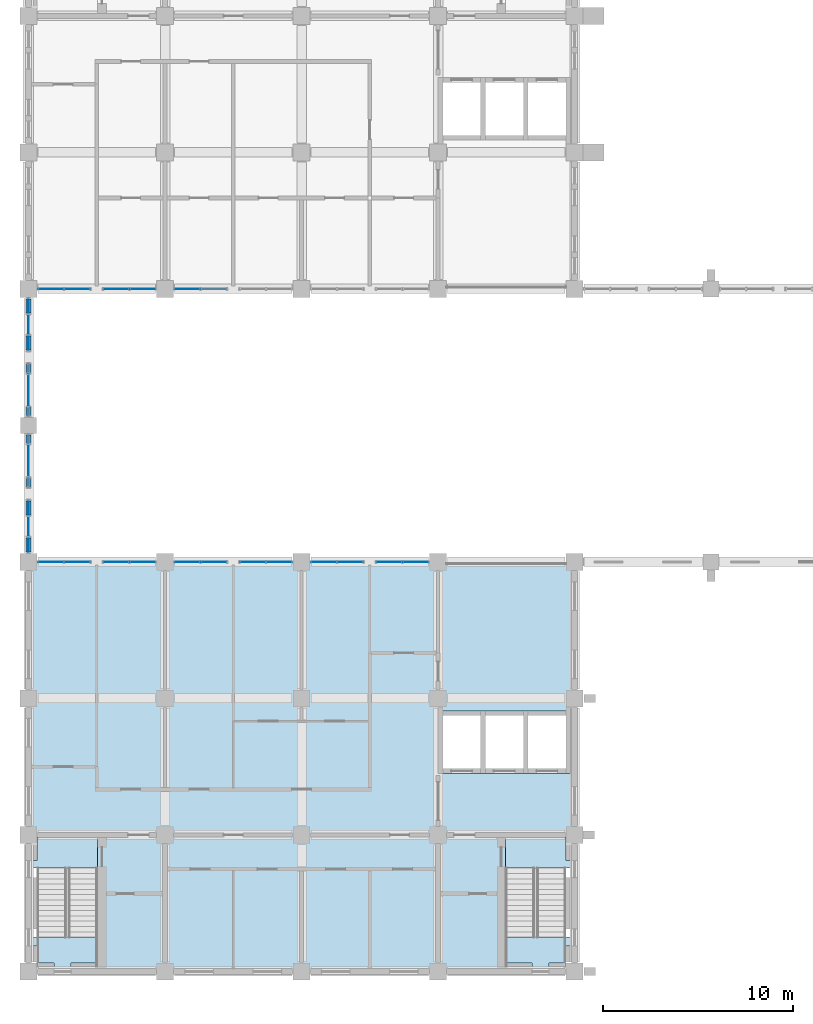
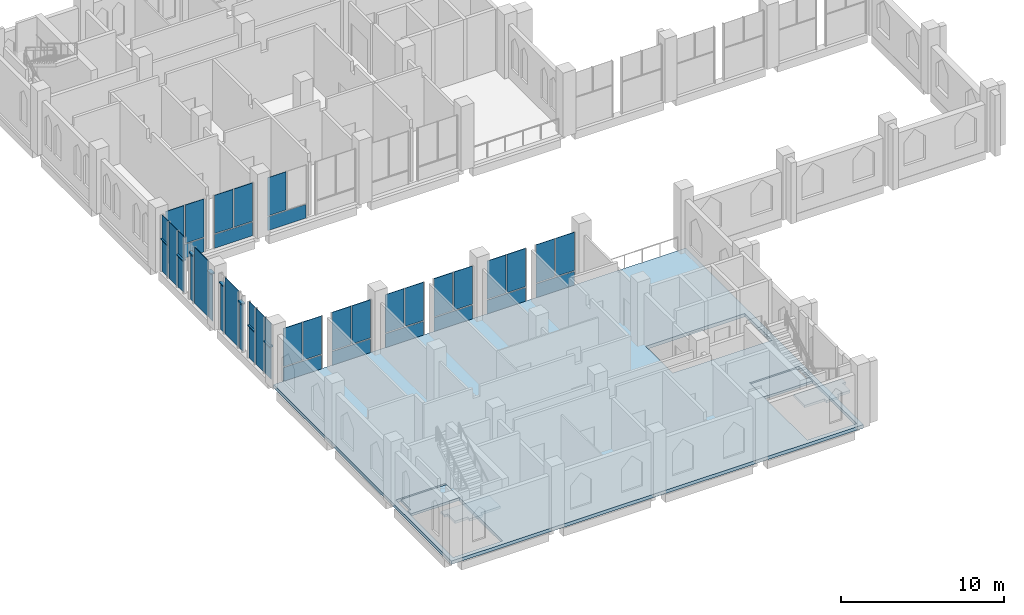
# One storey, part 24 of 40: 42 plates, 8 members, 5 slabs, 15 elements without a shape of their own.
"""IFC4 building model written with IfcOpenShell, lengths in metres."""

from ifc_helpers import new_model, si_unit, direction, frame, origin, origin_2d, place, context, subcontext, project, spatial, polyline, rectangle, hollow_rectangle, outline, extrude, material, layer, layer_set, material_profile, profile_set, type_object, element, aggregate, save


model = new_model("IFC4")

# Units and contexts
model_context = context("Model", 3, precision=1e-05, world=origin(), true_north=direction((0.0, 1.0)))
body_context = subcontext(model_context, "Body", "Model", "MODEL_VIEW")
ifc_project = project(units=[si_unit("LENGTHUNIT", "METRE"), si_unit("AREAUNIT", "SQUARE_METRE"), si_unit("VOLUMEUNIT", "CUBIC_METRE"), si_unit("PLANEANGLEUNIT", "RADIAN"), si_unit("MASSUNIT", "GRAM", prefix="KILO")], contexts=[model_context])

# Site, building, storey
site_placement = place(None, origin())
site = spatial("IfcSite", under=ifc_project, at=site_placement, CompositionType="ELEMENT")
building_placement = place(site_placement, origin())
building = spatial("IfcBuilding", under=site, at=building_placement, Name="Silangan Lancet Faculty of Sciences", CompositionType="ELEMENT")
storey_placement = place(building_placement, frame((0.0, 0.0, 16.800048828125)))
storey = spatial("IfcBuildingStorey", under=building, at=storey_placement, Name="L03", CompositionType="ELEMENT", Elevation=16.800048828125)

# Curtain wall, members
ifc_material_1 = material(Name="Aluminium framed curtain wall with insulated glass", Category="aluminium")
curtain_wall_type_1 = type_object("IfcCurtainWallType", Name="CW3 West stepped lancet window", PredefinedType="NOTDEFINED", material=ifc_material_1)
curtain_wall_1_placement = place(storey_placement, origin())
curtain_wall_1 = element("IfcCurtainWall", 1, at=curtain_wall_1_placement, inside=storey, type_object=curtain_wall_type_1, Name="CW3 West window L03 bay 1", PredefinedType="NOTDEFINED")
ifc_material_2 = material(Name="Aluminium 6063-T6 extrusion", Category="aluminium")
ifc_material_profile = material_profile(ifc_material_2, hollow_rectangle(XDim=0.25, YDim=0.10009765625, WallThickness=0.0048828125, at=origin_2d()), Name="AL BOX 250x100x5")
ifc_profile_set = profile_set([ifc_material_profile], Name="Aluminium 6063-T6 extrusion")
member_type = type_object("IfcMemberType", Name="CT3 Transom 250x100", PredefinedType="USERDEFINED", material=ifc_profile_set)
member_1_placement = place(storey_placement, frame((0.0, 22.125, 2.449951171875), z_axis=(0.0, 1.0, 0.0), x_axis=(-1.0, 0.0, 0.0)))
member_1 = element("IfcMember", 2, at=member_1_placement, type_object=member_type, Name="CW3 West window L03 bay 1 transom 1", ObjectType="TRANSOM", PredefinedType="USERDEFINED", context=body_context, shape_type="SweptSolid", body=[
    extrude(hollow_rectangle(XDim=0.25, YDim=0.10009765625, WallThickness=0.0048828125, at=origin_2d()), origin(), (0.0, 0.0, 1.0), 0.75),
])
member_2_placement = place(storey_placement, frame((0.0, 24.074951171875, 2.449951171875), z_axis=(0.0, 1.0, 0.0), x_axis=(-1.0, 0.0, 0.0)))
member_2 = element("IfcMember", 3, at=member_2_placement, type_object=member_type, Name="CW3 West window L03 bay 1 transom 2", ObjectType="TRANSOM", PredefinedType="USERDEFINED", context=body_context, shape_type="SweptSolid", body=[
    extrude(hollow_rectangle(XDim=0.25, YDim=0.10009765625, WallThickness=0.0048828125, at=origin_2d()), origin(), (0.0, 0.0, 1.0), 0.75),
])

ifc_material_3 = material(Name="Aluminium framed curtain wall with insulated glass", Category="aluminium")
curtain_wall_type_2 = type_object("IfcCurtainWallType", Name="CW6 West window middle bays", PredefinedType="NOTDEFINED", material=ifc_material_3)
curtain_wall_2_placement = place(storey_placement, origin())
curtain_wall_2 = element("IfcCurtainWall", 4, at=curtain_wall_2_placement, inside=storey, type_object=curtain_wall_type_2, Name="CW6 West window L03 bay 2", PredefinedType="NOTDEFINED")
member_3_placement = place(storey_placement, frame((0.0, 25.574951171875, 3.550048828125), z_axis=(0.0, 1.0, 0.0), x_axis=(-1.0, 0.0, 0.0)))
member_3 = element("IfcMember", 5, at=member_3_placement, type_object=member_type, Name="CW6 West window L03 bay 2 transom 1", ObjectType="TRANSOM", PredefinedType="USERDEFINED", context=body_context, shape_type="SweptSolid", body=[
    extrude(hollow_rectangle(XDim=0.25, YDim=0.10009765625, WallThickness=0.0048828125, at=origin_2d()), origin(), (0.0, 0.0, 1.0), 0.449951171875),
])
member_4_placement = place(storey_placement, frame((0.0, 27.85009765625, 3.550048828125), z_axis=(0.0, 1.0, 0.0), x_axis=(-1.0, 0.0, 0.0)))
member_4 = element("IfcMember", 6, at=member_4_placement, type_object=member_type, Name="CW6 West window L03 bay 2 transom 2", ObjectType="TRANSOM", PredefinedType="USERDEFINED", context=body_context, shape_type="SweptSolid", body=[
    extrude(hollow_rectangle(XDim=0.25, YDim=0.10009765625, WallThickness=0.0048828125, at=origin_2d()), origin(), (0.0, 0.0, 1.0), 0.449951171875),
])

curtain_wall_3_placement = place(storey_placement, origin())
curtain_wall_3 = element("IfcCurtainWall", 7, at=curtain_wall_3_placement, inside=storey, type_object=curtain_wall_type_2, Name="CW6 West window L03 bay 3", PredefinedType="NOTDEFINED")
member_5_placement = place(storey_placement, frame((0.0, 29.300048828125, 3.550048828125), z_axis=(0.0, 1.0, 0.0), x_axis=(-1.0, 0.0, 0.0)))
member_5 = element("IfcMember", 8, at=member_5_placement, type_object=member_type, Name="CW6 West window L03 bay 3 transom 1", ObjectType="TRANSOM", PredefinedType="USERDEFINED", context=body_context, shape_type="SweptSolid", body=[
    extrude(hollow_rectangle(XDim=0.25, YDim=0.10009765625, WallThickness=0.0048828125, at=origin_2d()), origin(), (0.0, 0.0, 1.0), 0.449951171875),
])
member_6_placement = place(storey_placement, frame((0.0, 31.574951171875, 3.550048828125), z_axis=(0.0, 1.0, 0.0), x_axis=(-1.0, 0.0, 0.0)))
member_6 = element("IfcMember", 9, at=member_6_placement, type_object=member_type, Name="CW6 West window L03 bay 3 transom 2", ObjectType="TRANSOM", PredefinedType="USERDEFINED", context=body_context, shape_type="SweptSolid", body=[
    extrude(hollow_rectangle(XDim=0.25, YDim=0.10009765625, WallThickness=0.0048828125, at=origin_2d()), origin(), (0.0, 0.0, 1.0), 0.449951171875),
])

curtain_wall_4_placement = place(storey_placement, origin())
curtain_wall_4 = element("IfcCurtainWall", 10, at=curtain_wall_4_placement, inside=storey, type_object=curtain_wall_type_1, Name="CW3 West window L03 bay 4", PredefinedType="NOTDEFINED")
member_7_placement = place(storey_placement, frame((0.0, 32.77490234375, 2.449951171875), z_axis=(0.0, 1.0, 0.0), x_axis=(-1.0, 0.0, 0.0)))
member_7 = element("IfcMember", 11, at=member_7_placement, type_object=member_type, Name="CW3 West window L03 bay 4 transom 1", ObjectType="TRANSOM", PredefinedType="USERDEFINED", context=body_context, shape_type="SweptSolid", body=[
    extrude(hollow_rectangle(XDim=0.25, YDim=0.10009765625, WallThickness=0.0048828125, at=origin_2d()), origin(), (0.0, 0.0, 1.0), 0.75),
])
member_8_placement = place(storey_placement, frame((0.0, 34.72509765625, 2.449951171875), z_axis=(0.0, 1.0, 0.0), x_axis=(-1.0, 0.0, 0.0)))
member_8 = element("IfcMember", 12, at=member_8_placement, type_object=member_type, Name="CW3 West window L03 bay 4 transom 2", ObjectType="TRANSOM", PredefinedType="USERDEFINED", context=body_context, shape_type="SweptSolid", body=[
    extrude(hollow_rectangle(XDim=0.25, YDim=0.10009765625, WallThickness=0.0048828125, at=origin_2d()), origin(), (0.0, 0.0, 1.0), 0.75),
])

# Plate
ifc_material_4 = material(Name="Insulated glass unit 8+16+8 low-emissivity", Category="glass")
ifc_layer_1 = layer(ifc_material_4, 0.031982421875)
ifc_layer_set_1 = layer_set([ifc_layer_1], Name="Insulated glass unit 8+16+8 low-emissivity")
plate_type_1 = type_object("IfcPlateType", Name="CP1 Panel vision glass 32", PredefinedType="CURTAIN_PANEL", material=ifc_layer_set_1)
plate_1_placement = place(storey_placement, frame((0.0, 22.5, 2.5), z_axis=(0.0, 0.0, 1.0), x_axis=(0.0, 1.0, 0.0)))
plate_1 = element("IfcPlate", 13, at=plate_1_placement, type_object=plate_type_1, Name="CW3 West window L03 bay 1 panel 3", PredefinedType="CURTAIN_PANEL", context=body_context, shape_type="SweptSolid", body=[
    extrude(rectangle(XDim=0.75, YDim=0.031982421875, at=origin_2d()), origin(), (0.0, 0.0, 1.0), 1.699951171875),
])

plate_2_placement = place(storey_placement, frame((0.0, 24.449951171875, 2.5), z_axis=(0.0, 0.0, 1.0), x_axis=(0.0, 1.0, 0.0)))
plate_2 = element("IfcPlate", 14, at=plate_2_placement, type_object=plate_type_1, Name="CW3 West window L03 bay 1 panel 4", PredefinedType="CURTAIN_PANEL", context=body_context, shape_type="SweptSolid", body=[
    extrude(rectangle(XDim=0.75, YDim=0.031982421875, at=origin_2d()), origin(), (0.0, 0.0, 1.0), 1.699951171875),
])

plate_3_placement = place(storey_placement, frame((0.0, 33.14990234375, 2.5), z_axis=(0.0, 0.0, 1.0), x_axis=(0.0, 1.0, 0.0)))
plate_3 = element("IfcPlate", 15, at=plate_3_placement, type_object=plate_type_1, Name="CW3 West window L03 bay 4 panel 3", PredefinedType="CURTAIN_PANEL", context=body_context, shape_type="SweptSolid", body=[
    extrude(rectangle(XDim=0.75, YDim=0.031982421875, at=origin_2d()), origin(), (0.0, 0.0, 1.0), 1.699951171875),
])

plate_4_placement = place(storey_placement, frame((0.0, 35.10009765625, 2.5), z_axis=(0.0, 0.0, 1.0), x_axis=(0.0, 1.0, 0.0)))
plate_4 = element("IfcPlate", 16, at=plate_4_placement, type_object=plate_type_1, Name="CW3 West window L03 bay 4 panel 4", PredefinedType="CURTAIN_PANEL", context=body_context, shape_type="SweptSolid", body=[
    extrude(rectangle(XDim=0.75, YDim=0.031982421875, at=origin_2d()), origin(), (0.0, 0.0, 1.0), 1.699951171875),
])

ifc_material_5 = material(Name="Laminated insulated glass unit 10.76+14+8", Category="glass")
ifc_layer_2 = layer(ifc_material_5, 0.035888671875)
ifc_layer_set_2 = layer_set([ifc_layer_2], Name="Laminated insulated glass unit 10.76+14+8")
plate_type_2 = type_object("IfcPlateType", Name="CP2 Panel laminated glass 36", PredefinedType="CURTAIN_PANEL", material=ifc_layer_set_2)
plate_5_placement = place(storey_placement, frame((0.0, 22.5, 0.0), z_axis=(0.0, 0.0, 1.0), x_axis=(0.0, 1.0, 0.0)))
plate_5 = element("IfcPlate", 17, at=plate_5_placement, type_object=plate_type_2, Name="CW3 West window L03 bay 1 panel 1", PredefinedType="CURTAIN_PANEL", context=body_context, shape_type="SweptSolid", body=[
    extrude(rectangle(XDim=0.75, YDim=0.035888671875, at=origin_2d()), origin(), (0.0, 0.0, 1.0), 2.39990234375),
])

plate_6_placement = place(storey_placement, frame((0.0, 24.449951171875, 0.0), z_axis=(0.0, 0.0, 1.0), x_axis=(0.0, 1.0, 0.0)))
plate_6 = element("IfcPlate", 18, at=plate_6_placement, type_object=plate_type_2, Name="CW3 West window L03 bay 1 panel 2", PredefinedType="CURTAIN_PANEL", context=body_context, shape_type="SweptSolid", body=[
    extrude(rectangle(XDim=0.75, YDim=0.035888671875, at=origin_2d()), origin(), (0.0, 0.0, 1.0), 2.39990234375),
])

plate_7_placement = place(storey_placement, frame((0.0, 23.47509765625, 0.0), z_axis=(0.0, 0.0, 1.0), x_axis=(0.0, 1.0, 0.0)))
plate_7 = element("IfcPlate", 19, at=plate_7_placement, type_object=plate_type_2, Name="CW3 West window L03 bay 1 panel 5", PredefinedType="CURTAIN_PANEL", context=body_context, shape_type="SweptSolid", body=[
    extrude(rectangle(XDim=1.050048828125, YDim=0.035888671875, at=origin_2d()), origin(), (0.0, 0.0, 1.0), 4.199951171875),
])

aggregate(curtain_wall_1, [member_1, member_2, plate_5, plate_6, plate_1, plate_2, plate_7])

plate_8_placement = place(storey_placement, frame((0.0, 25.800048828125, 0.0), z_axis=(0.0, 0.0, 1.0), x_axis=(0.0, 1.0, 0.0)))
plate_8 = element("IfcPlate", 20, at=plate_8_placement, type_object=plate_type_2, Name="CW6 West window L03 bay 2 panel 1", PredefinedType="CURTAIN_PANEL", context=body_context, shape_type="SweptSolid", body=[
    extrude(rectangle(XDim=0.449951171875, YDim=0.035888671875, at=origin_2d()), origin(), (0.0, 0.0, 1.0), 3.5),
])

plate_9_placement = place(storey_placement, frame((0.0, 28.074951171875, 0.0), z_axis=(0.0, 0.0, 1.0), x_axis=(0.0, 1.0, 0.0)))
plate_9 = element("IfcPlate", 21, at=plate_9_placement, type_object=plate_type_2, Name="CW6 West window L03 bay 2 panel 2", PredefinedType="CURTAIN_PANEL", context=body_context, shape_type="SweptSolid", body=[
    extrude(rectangle(XDim=0.449951171875, YDim=0.035888671875, at=origin_2d()), origin(), (0.0, 0.0, 1.0), 3.5),
])

plate_10_placement = place(storey_placement, frame((0.0, 26.9375, 0.0), z_axis=(0.0, 0.0, 1.0), x_axis=(0.0, 1.0, 0.0)))
plate_10 = element("IfcPlate", 22, at=plate_10_placement, type_object=plate_type_2, Name="CW6 West window L03 bay 2 panel 5", PredefinedType="CURTAIN_PANEL", context=body_context, shape_type="SweptSolid", body=[
    extrude(rectangle(XDim=1.675048828125, YDim=0.035888671875, at=origin_2d()), origin(), (0.0, 0.0, 1.0), 4.199951171875),
])

aggregate(curtain_wall_2, [member_3, member_4, plate_8, plate_9, plate_10])

plate_11_placement = place(storey_placement, frame((0.0, 29.52490234375, 0.0), z_axis=(0.0, 0.0, 1.0), x_axis=(0.0, 1.0, 0.0)))
plate_11 = element("IfcPlate", 23, at=plate_11_placement, type_object=plate_type_2, Name="CW6 West window L03 bay 3 panel 1", PredefinedType="CURTAIN_PANEL", context=body_context, shape_type="SweptSolid", body=[
    extrude(rectangle(XDim=0.449951171875, YDim=0.035888671875, at=origin_2d()), origin(), (0.0, 0.0, 1.0), 3.5),
])

plate_12_placement = place(storey_placement, frame((0.0, 31.7998046875, 0.0), z_axis=(0.0, 0.0, 1.0), x_axis=(0.0, 1.0, 0.0)))
plate_12 = element("IfcPlate", 24, at=plate_12_placement, type_object=plate_type_2, Name="CW6 West window L03 bay 3 panel 2", PredefinedType="CURTAIN_PANEL", context=body_context, shape_type="SweptSolid", body=[
    extrude(rectangle(XDim=0.449951171875, YDim=0.035888671875, at=origin_2d()), origin(), (0.0, 0.0, 1.0), 3.5),
])

plate_13_placement = place(storey_placement, frame((0.0, 30.662353515625, 0.0), z_axis=(0.0, 0.0, 1.0), x_axis=(0.0, 1.0, 0.0)))
plate_13 = element("IfcPlate", 25, at=plate_13_placement, type_object=plate_type_2, Name="CW6 West window L03 bay 3 panel 5", PredefinedType="CURTAIN_PANEL", context=body_context, shape_type="SweptSolid", body=[
    extrude(rectangle(XDim=1.6748046875, YDim=0.035888671875, at=origin_2d()), origin(), (0.0, 0.0, 1.0), 4.199951171875),
])

aggregate(curtain_wall_3, [member_5, member_6, plate_11, plate_12, plate_13])

plate_14_placement = place(storey_placement, frame((0.0, 33.14990234375, 0.0), z_axis=(0.0, 0.0, 1.0), x_axis=(0.0, 1.0, 0.0)))
plate_14 = element("IfcPlate", 26, at=plate_14_placement, type_object=plate_type_2, Name="CW3 West window L03 bay 4 panel 1", PredefinedType="CURTAIN_PANEL", context=body_context, shape_type="SweptSolid", body=[
    extrude(rectangle(XDim=0.75, YDim=0.035888671875, at=origin_2d()), origin(), (0.0, 0.0, 1.0), 2.39990234375),
])

plate_15_placement = place(storey_placement, frame((0.0, 35.10009765625, 0.0), z_axis=(0.0, 0.0, 1.0), x_axis=(0.0, 1.0, 0.0)))
plate_15 = element("IfcPlate", 27, at=plate_15_placement, type_object=plate_type_2, Name="CW3 West window L03 bay 4 panel 2", PredefinedType="CURTAIN_PANEL", context=body_context, shape_type="SweptSolid", body=[
    extrude(rectangle(XDim=0.75, YDim=0.035888671875, at=origin_2d()), origin(), (0.0, 0.0, 1.0), 2.39990234375),
])

plate_16_placement = place(storey_placement, frame((0.0, 34.125, 0.0), z_axis=(0.0, 0.0, 1.0), x_axis=(0.0, 1.0, 0.0)))
plate_16 = element("IfcPlate", 28, at=plate_16_placement, type_object=plate_type_2, Name="CW3 West window L03 bay 4 panel 5", PredefinedType="CURTAIN_PANEL", context=body_context, shape_type="SweptSolid", body=[
    extrude(rectangle(XDim=1.050048828125, YDim=0.035888671875, at=origin_2d()), origin(), (0.0, 0.0, 1.0), 4.199951171875),
])

aggregate(curtain_wall_4, [member_7, member_8, plate_14, plate_15, plate_3, plate_4, plate_16])

# Curtain wall, plates
ifc_material_6 = material(Name="Aluminium framed curtain wall with insulated glass", Category="aluminium")
curtain_wall_type_3 = type_object("IfcCurtainWallType", Name="CW2 Atrium fire-resisting screen", PredefinedType="NOTDEFINED", material=ifc_material_6)
curtain_wall_5_placement = place(storey_placement, origin())
curtain_wall_5 = element("IfcCurtainWall", 29, at=curtain_wall_5_placement, inside=storey, type_object=curtain_wall_type_3, Name="CW2 Atrium south L03 bay 1", PredefinedType="NOTDEFINED")
ifc_material_7 = material(Name="Fire-resisting glass unit 40 mm, integrity E", Category="glass")
ifc_layer_3 = layer(ifc_material_7, 0.0400390625)
ifc_layer_set_3 = layer_set([ifc_layer_3], Name="Fire-resisting glass unit 40 mm, integrity E")
plate_type_3 = type_object("IfcPlateType", Name="CP3 Panel fire-resisting glass 40", PredefinedType="CURTAIN_PANEL", material=ifc_layer_set_3)
plate_17_placement = place(storey_placement, frame((19.72509765625, 21.60009765625, 0.0), z_axis=(0.0, 0.0, 1.0), x_axis=(-1.0, 0.0, 0.0)))
plate_17 = element("IfcPlate", 30, at=plate_17_placement, type_object=plate_type_3, Name="CW2 Atrium south L03 bay 1 panel 1", PredefinedType="CURTAIN_PANEL", context=body_context, shape_type="SweptSolid", body=[
    extrude(rectangle(XDim=2.699951171875, YDim=0.0400390625, at=origin_2d()), origin(), (0.0, 0.0, 1.0), 1.02490234375),
])
plate_18_placement = place(storey_placement, frame((20.418701171875, 21.60009765625, 1.099853515625), z_axis=(0.0, 0.0, 1.0), x_axis=(-1.0, 0.0, 0.0)))
plate_18 = element("IfcPlate", 31, at=plate_18_placement, type_object=plate_type_3, Name="CW2 Atrium south L03 bay 1 panel 2", PredefinedType="CURTAIN_PANEL", context=body_context, shape_type="SweptSolid", body=[
    extrude(rectangle(XDim=1.3125, YDim=0.0400390625, at=origin_2d()), origin(), (0.0, 0.0, 1.0), 2.85009765625),
])
plate_19_placement = place(storey_placement, frame((19.03125, 21.60009765625, 1.099853515625), z_axis=(0.0, 0.0, 1.0), x_axis=(-1.0, 0.0, 0.0)))
plate_19 = element("IfcPlate", 32, at=plate_19_placement, type_object=plate_type_3, Name="CW2 Atrium south L03 bay 1 panel 3", PredefinedType="CURTAIN_PANEL", context=body_context, shape_type="SweptSolid", body=[
    extrude(rectangle(XDim=1.3125, YDim=0.0400390625, at=origin_2d()), origin(), (0.0, 0.0, 1.0), 2.85009765625),
])
aggregate(curtain_wall_5, [plate_17, plate_18, plate_19])

curtain_wall_6_placement = place(storey_placement, origin())
curtain_wall_6 = element("IfcCurtainWall", 33, at=curtain_wall_6_placement, inside=storey, type_object=curtain_wall_type_3, Name="CW2 Atrium south L03 bay 2", PredefinedType="NOTDEFINED")
plate_20_placement = place(storey_placement, frame((16.27490234375, 21.60009765625, 0.0), z_axis=(0.0, 0.0, 1.0), x_axis=(-1.0, 0.0, 0.0)))
plate_20 = element("IfcPlate", 34, at=plate_20_placement, type_object=plate_type_3, Name="CW2 Atrium south L03 bay 2 panel 1", PredefinedType="CURTAIN_PANEL", context=body_context, shape_type="SweptSolid", body=[
    extrude(rectangle(XDim=2.699951171875, YDim=0.0400390625, at=origin_2d()), origin(), (0.0, 0.0, 1.0), 1.02490234375),
])
plate_21_placement = place(storey_placement, frame((16.96875, 21.60009765625, 1.099853515625), z_axis=(0.0, 0.0, 1.0), x_axis=(-1.0, 0.0, 0.0)))
plate_21 = element("IfcPlate", 35, at=plate_21_placement, type_object=plate_type_3, Name="CW2 Atrium south L03 bay 2 panel 2", PredefinedType="CURTAIN_PANEL", context=body_context, shape_type="SweptSolid", body=[
    extrude(rectangle(XDim=1.3125, YDim=0.0400390625, at=origin_2d()), origin(), (0.0, 0.0, 1.0), 2.85009765625),
])
plate_22_placement = place(storey_placement, frame((15.581298828125, 21.60009765625, 1.099853515625), z_axis=(0.0, 0.0, 1.0), x_axis=(-1.0, 0.0, 0.0)))
plate_22 = element("IfcPlate", 36, at=plate_22_placement, type_object=plate_type_3, Name="CW2 Atrium south L03 bay 2 panel 3", PredefinedType="CURTAIN_PANEL", context=body_context, shape_type="SweptSolid", body=[
    extrude(rectangle(XDim=1.3125, YDim=0.0400390625, at=origin_2d()), origin(), (0.0, 0.0, 1.0), 2.85009765625),
])
aggregate(curtain_wall_6, [plate_20, plate_21, plate_22])

curtain_wall_7_placement = place(storey_placement, origin())
curtain_wall_7 = element("IfcCurtainWall", 37, at=curtain_wall_7_placement, inside=storey, type_object=curtain_wall_type_3, Name="CW2 Atrium south L03 bay 3", PredefinedType="NOTDEFINED")
plate_23_placement = place(storey_placement, frame((12.52490234375, 21.60009765625, 0.0), z_axis=(0.0, 0.0, 1.0), x_axis=(-1.0, 0.0, 0.0)))
plate_23 = element("IfcPlate", 38, at=plate_23_placement, type_object=plate_type_3, Name="CW2 Atrium south L03 bay 3 panel 1", PredefinedType="CURTAIN_PANEL", context=body_context, shape_type="SweptSolid", body=[
    extrude(rectangle(XDim=2.699951171875, YDim=0.0400390625, at=origin_2d()), origin(), (0.0, 0.0, 1.0), 1.02490234375),
])
plate_24_placement = place(storey_placement, frame((13.21875, 21.60009765625, 1.099853515625), z_axis=(0.0, 0.0, 1.0), x_axis=(-1.0, 0.0, 0.0)))
plate_24 = element("IfcPlate", 39, at=plate_24_placement, type_object=plate_type_3, Name="CW2 Atrium south L03 bay 3 panel 2", PredefinedType="CURTAIN_PANEL", context=body_context, shape_type="SweptSolid", body=[
    extrude(rectangle(XDim=1.3125, YDim=0.0400390625, at=origin_2d()), origin(), (0.0, 0.0, 1.0), 2.85009765625),
])
plate_25_placement = place(storey_placement, frame((11.831298828125, 21.60009765625, 1.099853515625), z_axis=(0.0, 0.0, 1.0), x_axis=(-1.0, 0.0, 0.0)))
plate_25 = element("IfcPlate", 40, at=plate_25_placement, type_object=plate_type_3, Name="CW2 Atrium south L03 bay 3 panel 3", PredefinedType="CURTAIN_PANEL", context=body_context, shape_type="SweptSolid", body=[
    extrude(rectangle(XDim=1.3125, YDim=0.0400390625, at=origin_2d()), origin(), (0.0, 0.0, 1.0), 2.85009765625),
])
aggregate(curtain_wall_7, [plate_23, plate_24, plate_25])

curtain_wall_8_placement = place(storey_placement, origin())
curtain_wall_8 = element("IfcCurtainWall", 41, at=curtain_wall_8_placement, inside=storey, type_object=curtain_wall_type_3, Name="CW2 Atrium south L03 bay 4", PredefinedType="NOTDEFINED")
plate_26_placement = place(storey_placement, frame((9.074951171875, 21.60009765625, 0.0), z_axis=(0.0, 0.0, 1.0), x_axis=(-1.0, 0.0, 0.0)))
plate_26 = element("IfcPlate", 42, at=plate_26_placement, type_object=plate_type_3, Name="CW2 Atrium south L03 bay 4 panel 1", PredefinedType="CURTAIN_PANEL", context=body_context, shape_type="SweptSolid", body=[
    extrude(rectangle(XDim=2.699951171875, YDim=0.0400390625, at=origin_2d()), origin(), (0.0, 0.0, 1.0), 1.02490234375),
])
plate_27_placement = place(storey_placement, frame((9.768798828125, 21.60009765625, 1.099853515625), z_axis=(0.0, 0.0, 1.0), x_axis=(-1.0, 0.0, 0.0)))
plate_27 = element("IfcPlate", 43, at=plate_27_placement, type_object=plate_type_3, Name="CW2 Atrium south L03 bay 4 panel 2", PredefinedType="CURTAIN_PANEL", context=body_context, shape_type="SweptSolid", body=[
    extrude(rectangle(XDim=1.3125, YDim=0.0400390625, at=origin_2d()), origin(), (0.0, 0.0, 1.0), 2.85009765625),
])
plate_28_placement = place(storey_placement, frame((8.38134765625, 21.60009765625, 1.099853515625), z_axis=(0.0, 0.0, 1.0), x_axis=(-1.0, 0.0, 0.0)))
plate_28 = element("IfcPlate", 44, at=plate_28_placement, type_object=plate_type_3, Name="CW2 Atrium south L03 bay 4 panel 3", PredefinedType="CURTAIN_PANEL", context=body_context, shape_type="SweptSolid", body=[
    extrude(rectangle(XDim=1.3125, YDim=0.0400390625, at=origin_2d()), origin(), (0.0, 0.0, 1.0), 2.85009765625),
])
aggregate(curtain_wall_8, [plate_26, plate_27, plate_28])

curtain_wall_9_placement = place(storey_placement, origin())
curtain_wall_9 = element("IfcCurtainWall", 45, at=curtain_wall_9_placement, inside=storey, type_object=curtain_wall_type_3, Name="CW2 Atrium south L03 bay 5", PredefinedType="NOTDEFINED")
plate_29_placement = place(storey_placement, frame((5.324951171875, 21.60009765625, 0.0), z_axis=(0.0, 0.0, 1.0), x_axis=(-1.0, 0.0, 0.0)))
plate_29 = element("IfcPlate", 46, at=plate_29_placement, type_object=plate_type_3, Name="CW2 Atrium south L03 bay 5 panel 1", PredefinedType="CURTAIN_PANEL", context=body_context, shape_type="SweptSolid", body=[
    extrude(rectangle(XDim=2.699951171875, YDim=0.0400390625, at=origin_2d()), origin(), (0.0, 0.0, 1.0), 1.02490234375),
])
plate_30_placement = place(storey_placement, frame((6.018798828125, 21.60009765625, 1.099853515625), z_axis=(0.0, 0.0, 1.0), x_axis=(-1.0, 0.0, 0.0)))
plate_30 = element("IfcPlate", 47, at=plate_30_placement, type_object=plate_type_3, Name="CW2 Atrium south L03 bay 5 panel 2", PredefinedType="CURTAIN_PANEL", context=body_context, shape_type="SweptSolid", body=[
    extrude(rectangle(XDim=1.3125, YDim=0.0400390625, at=origin_2d()), origin(), (0.0, 0.0, 1.0), 2.85009765625),
])
plate_31_placement = place(storey_placement, frame((4.63134765625, 21.60009765625, 1.099853515625), z_axis=(0.0, 0.0, 1.0), x_axis=(-1.0, 0.0, 0.0)))
plate_31 = element("IfcPlate", 48, at=plate_31_placement, type_object=plate_type_3, Name="CW2 Atrium south L03 bay 5 panel 3", PredefinedType="CURTAIN_PANEL", context=body_context, shape_type="SweptSolid", body=[
    extrude(rectangle(XDim=1.3125, YDim=0.0400390625, at=origin_2d()), origin(), (0.0, 0.0, 1.0), 2.85009765625),
])
aggregate(curtain_wall_9, [plate_29, plate_30, plate_31])

curtain_wall_10_placement = place(storey_placement, origin())
curtain_wall_10 = element("IfcCurtainWall", 49, at=curtain_wall_10_placement, inside=storey, type_object=curtain_wall_type_3, Name="CW2 Atrium south L03 bay 6", PredefinedType="NOTDEFINED")
plate_32_placement = place(storey_placement, frame((1.875, 21.60009765625, 0.0), z_axis=(0.0, 0.0, 1.0), x_axis=(-1.0, 0.0, 0.0)))
plate_32 = element("IfcPlate", 50, at=plate_32_placement, type_object=plate_type_3, Name="CW2 Atrium south L03 bay 6 panel 1", PredefinedType="CURTAIN_PANEL", context=body_context, shape_type="SweptSolid", body=[
    extrude(rectangle(XDim=2.7001953125, YDim=0.0400390625, at=origin_2d()), origin(), (0.0, 0.0, 1.0), 1.02490234375),
])
plate_33_placement = place(storey_placement, frame((2.56884765625, 21.60009765625, 1.099853515625), z_axis=(0.0, 0.0, 1.0), x_axis=(-1.0, 0.0, 0.0)))
plate_33 = element("IfcPlate", 51, at=plate_33_placement, type_object=plate_type_3, Name="CW2 Atrium south L03 bay 6 panel 2", PredefinedType="CURTAIN_PANEL", context=body_context, shape_type="SweptSolid", body=[
    extrude(rectangle(XDim=1.3125, YDim=0.0400390625, at=origin_2d()), origin(), (0.0, 0.0, 1.0), 2.85009765625),
])
plate_34_placement = place(storey_placement, frame((1.181396484375, 21.60009765625, 1.099853515625), z_axis=(0.0, 0.0, 1.0), x_axis=(-1.0, 0.0, 0.0)))
plate_34 = element("IfcPlate", 52, at=plate_34_placement, type_object=plate_type_3, Name="CW2 Atrium south L03 bay 6 panel 3", PredefinedType="CURTAIN_PANEL", context=body_context, shape_type="SweptSolid", body=[
    extrude(rectangle(XDim=1.3125, YDim=0.0400390625, at=origin_2d()), origin(), (0.0, 0.0, 1.0), 2.85009765625),
])
aggregate(curtain_wall_10, [plate_32, plate_33, plate_34])

curtain_wall_11_placement = place(storey_placement, origin())
curtain_wall_11 = element("IfcCurtainWall", 53, at=curtain_wall_11_placement, inside=storey, type_object=curtain_wall_type_3, Name="CW2 Atrium north L03 bay 1", PredefinedType="NOTDEFINED")
plate_35_placement = place(storey_placement, frame((1.875, 36.0, 0.0), z_axis=(0.0, 0.0, 1.0), x_axis=(1.0, 0.0, 0.0)))
plate_35 = element("IfcPlate", 54, at=plate_35_placement, type_object=plate_type_3, Name="CW2 Atrium north L03 bay 1 panel 1", PredefinedType="CURTAIN_PANEL", context=body_context, shape_type="SweptSolid", body=[
    extrude(rectangle(XDim=2.7001953125, YDim=0.0400390625, at=origin_2d()), origin(), (0.0, 0.0, 1.0), 1.02490234375),
])
plate_36_placement = place(storey_placement, frame((1.181396484375, 36.0, 1.099853515625), z_axis=(0.0, 0.0, 1.0), x_axis=(1.0, 0.0, 0.0)))
plate_36 = element("IfcPlate", 55, at=plate_36_placement, type_object=plate_type_3, Name="CW2 Atrium north L03 bay 1 panel 2", PredefinedType="CURTAIN_PANEL", context=body_context, shape_type="SweptSolid", body=[
    extrude(rectangle(XDim=1.3125, YDim=0.0400390625, at=origin_2d()), origin(), (0.0, 0.0, 1.0), 2.85009765625),
])
plate_37_placement = place(storey_placement, frame((2.56884765625, 36.0, 1.099853515625), z_axis=(0.0, 0.0, 1.0), x_axis=(1.0, 0.0, 0.0)))
plate_37 = element("IfcPlate", 56, at=plate_37_placement, type_object=plate_type_3, Name="CW2 Atrium north L03 bay 1 panel 3", PredefinedType="CURTAIN_PANEL", context=body_context, shape_type="SweptSolid", body=[
    extrude(rectangle(XDim=1.3125, YDim=0.0400390625, at=origin_2d()), origin(), (0.0, 0.0, 1.0), 2.85009765625),
])
aggregate(curtain_wall_11, [plate_35, plate_36, plate_37])

curtain_wall_12_placement = place(storey_placement, origin())
curtain_wall_12 = element("IfcCurtainWall", 57, at=curtain_wall_12_placement, inside=storey, type_object=curtain_wall_type_3, Name="CW2 Atrium north L03 bay 2", PredefinedType="NOTDEFINED")
plate_38_placement = place(storey_placement, frame((5.324951171875, 36.0, 0.0), z_axis=(0.0, 0.0, 1.0), x_axis=(1.0, 0.0, 0.0)))
plate_38 = element("IfcPlate", 58, at=plate_38_placement, type_object=plate_type_3, Name="CW2 Atrium north L03 bay 2 panel 1", PredefinedType="CURTAIN_PANEL", context=body_context, shape_type="SweptSolid", body=[
    extrude(rectangle(XDim=2.699951171875, YDim=0.0400390625, at=origin_2d()), origin(), (0.0, 0.0, 1.0), 1.02490234375),
])
plate_39_placement = place(storey_placement, frame((4.63134765625, 36.0, 1.099853515625), z_axis=(0.0, 0.0, 1.0), x_axis=(1.0, 0.0, 0.0)))
plate_39 = element("IfcPlate", 59, at=plate_39_placement, type_object=plate_type_3, Name="CW2 Atrium north L03 bay 2 panel 2", PredefinedType="CURTAIN_PANEL", context=body_context, shape_type="SweptSolid", body=[
    extrude(rectangle(XDim=1.3125, YDim=0.0400390625, at=origin_2d()), origin(), (0.0, 0.0, 1.0), 2.85009765625),
])
plate_40_placement = place(storey_placement, frame((6.018798828125, 36.0, 1.099853515625), z_axis=(0.0, 0.0, 1.0), x_axis=(1.0, 0.0, 0.0)))
plate_40 = element("IfcPlate", 60, at=plate_40_placement, type_object=plate_type_3, Name="CW2 Atrium north L03 bay 2 panel 3", PredefinedType="CURTAIN_PANEL", context=body_context, shape_type="SweptSolid", body=[
    extrude(rectangle(XDim=1.3125, YDim=0.0400390625, at=origin_2d()), origin(), (0.0, 0.0, 1.0), 2.85009765625),
])
aggregate(curtain_wall_12, [plate_38, plate_39, plate_40])

curtain_wall_13_placement = place(storey_placement, origin())
curtain_wall_13 = element("IfcCurtainWall", 61, at=curtain_wall_13_placement, inside=storey, type_object=curtain_wall_type_3, Name="CW2 Atrium north L03 bay 3", PredefinedType="NOTDEFINED")
plate_41_placement = place(storey_placement, frame((9.074951171875, 36.0, 0.0), z_axis=(0.0, 0.0, 1.0), x_axis=(1.0, 0.0, 0.0)))
plate_41 = element("IfcPlate", 62, at=plate_41_placement, type_object=plate_type_3, Name="CW2 Atrium north L03 bay 3 panel 1", PredefinedType="CURTAIN_PANEL", context=body_context, shape_type="SweptSolid", body=[
    extrude(rectangle(XDim=2.699951171875, YDim=0.0400390625, at=origin_2d()), origin(), (0.0, 0.0, 1.0), 1.02490234375),
])
plate_42_placement = place(storey_placement, frame((8.38134765625, 36.0, 1.099853515625), z_axis=(0.0, 0.0, 1.0), x_axis=(1.0, 0.0, 0.0)))
plate_42 = element("IfcPlate", 63, at=plate_42_placement, type_object=plate_type_3, Name="CW2 Atrium north L03 bay 3 panel 2", PredefinedType="CURTAIN_PANEL", context=body_context, shape_type="SweptSolid", body=[
    extrude(rectangle(XDim=1.3125, YDim=0.0400390625, at=origin_2d()), origin(), (0.0, 0.0, 1.0), 2.85009765625),
])
aggregate(curtain_wall_13, [plate_41, plate_42])

# Slab
ifc_material_8 = material(Name="Concrete C35/45", Category="concrete")
ifc_layer_4 = layer(ifc_material_8, 0.25)
ifc_layer_set_4 = layer_set([ifc_layer_4], Name="Concrete C35/45")
slab_type_1 = type_object("IfcSlabType", Name="SLAB FLOOR 250", PredefinedType="FLOOR", material=ifc_layer_set_4)
slab_1_placement = place(storey_placement, frame((0.0, 0.0, -0.25)))
element("IfcSlab", 64, at=slab_1_placement, inside=storey, type_object=slab_type_1, Name="SLAB-L03-ST", PredefinedType="FLOOR", context=body_context, shape_type="SweptSolid", body=[
    extrude(outline(polyline([(-0.14990234375, 21.60009765625), (-0.14990234375, -0.14990234375), (28.949951171875, -0.14990234375), (28.949951171875, 21.60009765625), (-0.14990234375, 21.60009765625)]), holes=[polyline([(0.14990234375, 7.199951171875), (3.64990234375, 7.199951171875), (3.64990234375, 0.14990234375), (0.14990234375, 0.14990234375), (0.14990234375, 7.199951171875)]), polyline([(25.14990234375, 0.14990234375), (25.14990234375, 7.199951171875), (28.64990234375, 7.199951171875), (28.64990234375, 0.14990234375), (25.14990234375, 0.14990234375)]), polyline([(21.60009765625, 13.75), (28.60009765625, 13.75), (28.60009765625, 10.449951171875), (21.60009765625, 10.449951171875), (21.60009765625, 13.75)])]), origin(), (0.0, 0.0, 1.0), 0.25),
])

# Stair, slabs
ifc_material_9 = material(Name="Concrete C40/50", Category="concrete")
stair_type = type_object("IfcStairType", Name="TURRET STAIR 1550 TWO-FLIGHT", PredefinedType="HALF_TURN_STAIR", material=ifc_material_9)
stair_1_placement = place(storey_placement, origin())
stair_1 = element("IfcStair", 65, at=stair_1_placement, inside=storey, type_object=stair_type, Name="ST-A stair L03", PredefinedType="HALF_TURN_STAIR")
ifc_material_10 = material(Name="Concrete C40/50", Category="concrete")
ifc_layer_5 = layer(ifc_material_10, 0.179931640625)
ifc_layer_set_5 = layer_set([ifc_layer_5], Name="Concrete C40/50")
slab_type_2 = type_object("IfcSlabType", Name="TURRET STAIR LANDING RC 180", PredefinedType="LANDING", material=ifc_layer_set_5)
slab_2_placement = place(storey_placement, frame((0.0, 0.0, -0.179931640625)))
slab_2 = element("IfcSlab", 66, at=slab_2_placement, type_object=slab_type_2, Name="STR1 landing 1", PredefinedType="LANDING", context=body_context, shape_type="SweptSolid", body=[
    extrude(outline(polyline([(0.449951171875, 5.85009765625), (0.449951171875, 7.074951171875), (3.64990234375, 7.074951171875), (3.64990234375, 5.449951171875), (0.22509765625, 5.449951171875), (0.22509765625, 5.85009765625), (0.449951171875, 5.85009765625)])), origin(), (0.0, 0.0, 1.0), 0.179931640625),
])
slab_3_placement = place(storey_placement, frame((0.0, 0.0, 2.219970703125)))
slab_3 = element("IfcSlab", 67, at=slab_3_placement, type_object=slab_type_2, Name="STR1 landing 2", PredefinedType="LANDING", context=body_context, shape_type="SweptSolid", body=[
    extrude(outline(polyline([(0.22509765625, 1.35009765625), (0.22509765625, 1.81005859375), (3.64990234375, 1.81005859375), (3.64990234375, 0.449951171875), (2.25, 0.449951171875), (2.25, 0.22509765625), (1.35009765625, 0.22509765625), (1.35009765625, 0.449951171875), (0.455322265625, 0.449951171875), (0.449951171875, 0.4873046875), (0.449951171875, 1.35009765625), (0.22509765625, 1.35009765625)])), origin(), (0.0, 0.0, 1.0), 0.179931640625),
])
aggregate(stair_1, [slab_2, slab_3])

stair_2_placement = place(storey_placement, origin())
stair_2 = element("IfcStair", 68, at=stair_2_placement, inside=storey, type_object=stair_type, Name="ST-B stair L03", PredefinedType="HALF_TURN_STAIR")
slab_4_placement = place(storey_placement, frame((0.0, 0.0, -0.179931640625)))
slab_4 = element("IfcSlab", 69, at=slab_4_placement, type_object=slab_type_2, Name="STR2 landing 1", PredefinedType="LANDING", context=body_context, shape_type="SweptSolid", body=[
    extrude(outline(polyline([(28.35009765625, 5.85009765625), (28.574951171875, 5.85009765625), (28.574951171875, 5.449951171875), (25.14990234375, 5.449951171875), (25.14990234375, 7.074951171875), (28.35009765625, 7.074951171875), (28.35009765625, 5.85009765625)])), origin(), (0.0, 0.0, 1.0), 0.179931640625),
])
slab_5_placement = place(storey_placement, frame((0.0, 0.0, 2.219970703125)))
slab_5 = element("IfcSlab", 70, at=slab_5_placement, type_object=slab_type_2, Name="STR2 landing 2", PredefinedType="LANDING", context=body_context, shape_type="SweptSolid", body=[
    extrude(outline(polyline([(28.35009765625, 0.449951171875), (27.449951171875, 0.449951171875), (27.449951171875, 0.22509765625), (26.550048828125, 0.22509765625), (26.550048828125, 0.449951171875), (25.14990234375, 0.449951171875), (25.14990234375, 1.81005859375), (28.574951171875, 1.81005859375), (28.574951171875, 1.35009765625), (28.35009765625, 1.35009765625), (28.35009765625, 0.449951171875)])), origin(), (0.0, 0.0, 1.0), 0.179931640625),
])
aggregate(stair_2, [slab_4, slab_5])

save(model, "model.ifc")
